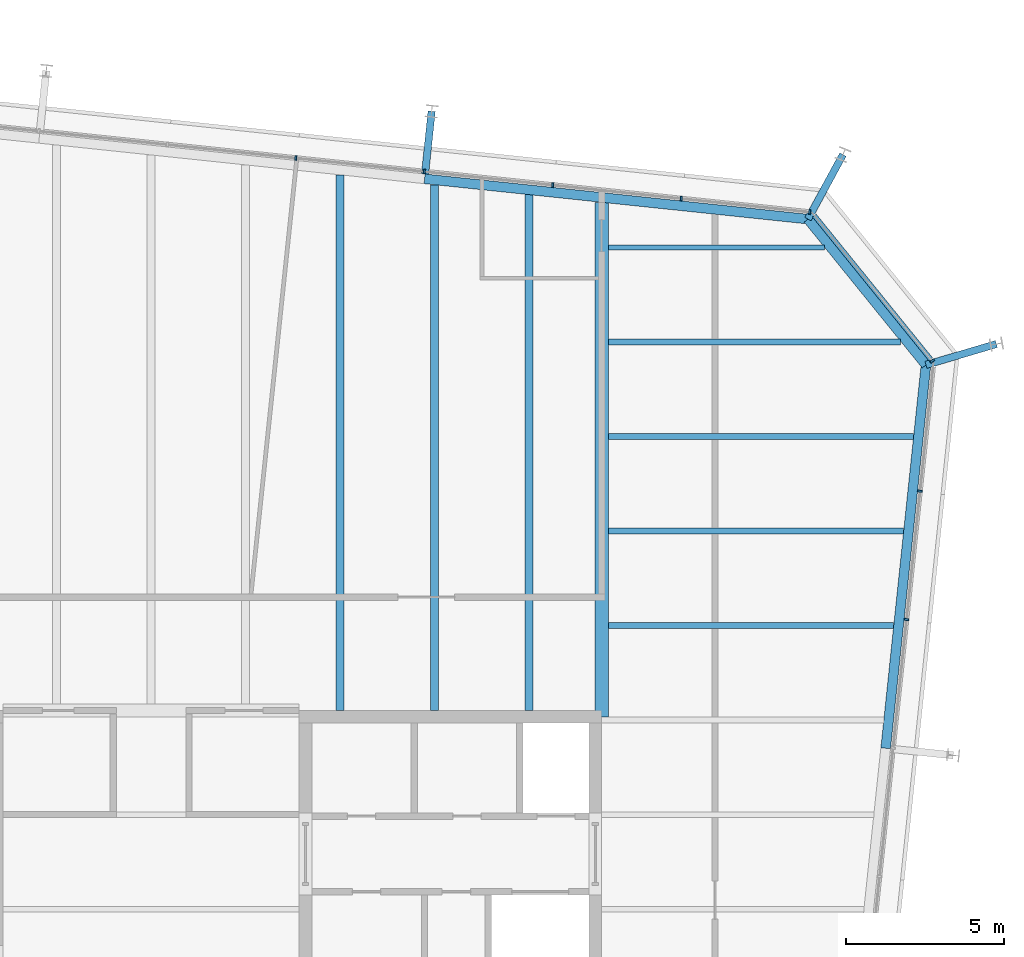
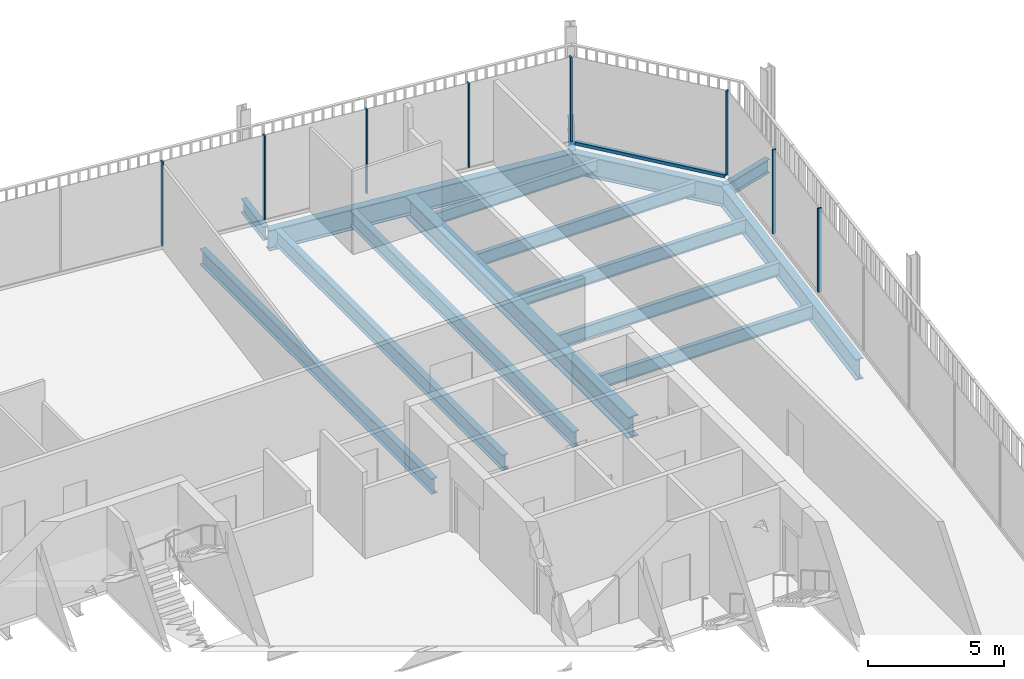
# One storey, part 14 of 20: 15 beams, 9 members, 3 elements without a shape of their own.
"""IFC4 building model written with IfcOpenShell, lengths in metres."""

import ifcopenshell
import ifcopenshell.guid

model = None  # the IFC model being written
_history = None  # IfcOwnerHistory: only IFC2X3 demands one
_inside = {}  # id of a spatial element -> (the spatial element, [elements in it])
_under = {}  # id of a project, library or spatial element -> (it, [spatial elements below it])
_declared = {}  # id of a project -> (the project, [libraries it declares])
_typed = {}  # id of a type object -> (the type object, [elements of that type])
_made_of = {}  # id of a material, layer set ... -> (it, [elements and type objects made of it])


def new_model(schema):
    """Start an empty IFC model of exactly this schema.

    Asked for "IFC4X3", IfcOpenShell would pick the latest addendum, in which some entities
    have other attributes; the version numbers below select the first issue.
    IFC2X3 requires an IfcOwnerHistory on every rooted entity: one is made here for all.
    """
    global model, _history
    if schema == "IFC4X3":
        model = ifcopenshell.file(schema_version=(4, 3, 0, 0))
    else:
        model = ifcopenshell.file(schema=schema)
    _inside.clear()
    _under.clear()
    _declared.clear()
    _typed.clear()
    _made_of.clear()
    _history = None
    if model.schema == "IFC2X3":
        org = make("IfcOrganization", Name="unknown")
        user = make(
            "IfcPersonAndOrganization",
            ThePerson=make("IfcPerson", FamilyName="unknown"),
            TheOrganization=org,
        )
        app = make(
            "IfcApplication",
            ApplicationDeveloper=org,
            Version="unknown",
            ApplicationFullName="unknown",
            ApplicationIdentifier="unknown",
        )
        _history = make(
            "IfcOwnerHistory",
            OwningUser=user,
            OwningApplication=app,
            ChangeAction="ADDED",
            CreationDate=0,
        )
    return model


def make(cls, **values):
    """One entity of the class cls with the attributes given. An attribute that is None is left unset."""
    return model.create_entity(
        cls, **{name: value for name, value in values.items() if value is not None}
    )


def rooted(cls, **values):
    """An entity with a GlobalId (a new one), such as an element, a storey or a relation."""
    return make(cls, GlobalId=ifcopenshell.guid.new(), OwnerHistory=_history, **values)


def si_unit(unit_type, name, prefix=None):
    """IfcSIUnit, for example si_unit("LENGTHUNIT", "METRE", prefix="MILLI")."""
    return make("IfcSIUnit", UnitType=unit_type, Prefix=prefix, Name=name)


def assignment(units):
    """IfcUnitAssignment: the units of a project."""
    return None if units is None else make("IfcUnitAssignment", Units=units)


def point(xyz):
    """IfcCartesianPoint."""
    return None if xyz is None else make("IfcCartesianPoint", Coordinates=xyz)


def direction(xyz):
    """IfcDirection."""
    return None if xyz is None else make("IfcDirection", DirectionRatios=xyz)


def frame(location, z_axis=None, x_axis=None):
    """IfcAxis2Placement3D, a coordinate frame: its origin and axes. An axis left out is left unset."""
    return make(
        "IfcAxis2Placement3D",
        Location=point(location),
        Axis=direction(z_axis),
        RefDirection=direction(x_axis),
    )


def frame_2d(location, x_axis=None):
    """IfcAxis2Placement2D, a coordinate frame in the plane: its origin and x axis."""
    return make(
        "IfcAxis2Placement2D", Location=point(location), RefDirection=direction(x_axis)
    )


def origin():
    """The frame at (0, 0, 0) with its axes left unset."""
    return frame((0.0, 0.0, 0.0))


def origin_2d():
    """The frame at (0, 0) in the plane with its x axis left unset."""
    return frame_2d((0.0, 0.0))


def place(relative_to, where):
    """IfcLocalPlacement: puts the frame where relative to a parent placement (None: the world)."""
    return make(
        "IfcLocalPlacement", PlacementRelTo=relative_to, RelativePlacement=where
    )


def context(
    kind, dimensions, precision=None, world=None, true_north=None, identifier=None
):
    """IfcGeometricRepresentationContext, for example the 3D "Model" context."""
    return make(
        "IfcGeometricRepresentationContext",
        ContextIdentifier=identifier,
        ContextType=kind,
        CoordinateSpaceDimension=dimensions,
        Precision=precision,
        WorldCoordinateSystem=world,
        TrueNorth=true_north,
    )


def subcontext(parent, identifier, kind, view, scale=None):
    """IfcGeometricRepresentationSubContext, for example "Body" below "Model"."""
    return make(
        "IfcGeometricRepresentationSubContext",
        ContextIdentifier=identifier,
        ContextType=kind,
        ParentContext=parent,
        TargetScale=scale,
        TargetView=view,
    )


def project(units=None, contexts=None):
    """IfcProject with its units and contexts."""
    return rooted(
        "IfcProject",
        Name="project",
        RepresentationContexts=contexts,
        UnitsInContext=assignment(units),
    )


def spatial(cls, under=None, at=None, **own):
    """A site, building, storey or space (cls), placed at a placement, below another one or the project."""
    s = rooted(cls, ObjectPlacement=at, **own)
    if under is not None:
        _under.setdefault(under.id(), (under, []))[1].append(s)
    return s


def profile(cls, at=None, kind="AREA", **sizes):
    """A parametric profile (cls). Its sizes go by their IFC names, for example OverallWidth=200.0."""
    return make(cls, ProfileType=kind, Position=at, **sizes)


def rectangle(**sizes):
    """IfcRectangleProfileDef."""
    return profile("IfcRectangleProfileDef", **sizes)


def i_section(**sizes):
    """IfcIShapeProfileDef."""
    return profile("IfcIShapeProfileDef", **sizes)


def extrude(swept, where, along, depth):
    """IfcExtrudedAreaSolid: the profile swept, set in the frame where, extruded along a direction by depth."""
    return make(
        "IfcExtrudedAreaSolid",
        SweptArea=swept,
        Position=where,
        ExtrudedDirection=direction(along),
        Depth=depth,
    )


def shape(context_of_items, identifier, shape_type, items):
    """IfcShapeRepresentation: the items that make up one representation, for example the "Body"."""
    return make(
        "IfcShapeRepresentation",
        ContextOfItems=context_of_items,
        RepresentationIdentifier=identifier,
        RepresentationType=shape_type,
        Items=items,
    )


def material(Name=None, Category=None):
    """IfcMaterial."""
    return make("IfcMaterial", Name=Name, Category=Category)


def layer(
    of_material, thickness, ventilated=None, Name=None, Category=None, Priority=None
):
    """IfcMaterialLayer: one layer of a wall or slab, of a material (None: an air gap)."""
    return make(
        "IfcMaterialLayer",
        Material=of_material,
        LayerThickness=thickness,
        IsVentilated=ventilated,
        Name=Name,
        Category=Category,
        Priority=Priority,
    )


def layer_set(layers, Name=None):
    """IfcMaterialLayerSet."""
    return make("IfcMaterialLayerSet", MaterialLayers=layers, LayerSetName=Name)


def material_profile(
    of_material, cross_section, Name=None, Category=None, Priority=None
):
    """IfcMaterialProfile: a cross section and its material."""
    return make(
        "IfcMaterialProfile",
        Name=Name,
        Material=of_material,
        Profile=cross_section,
        Priority=Priority,
        Category=Category,
    )


def profile_set(profiles, Name=None, composite=None):
    """IfcMaterialProfileSet."""
    return make(
        "IfcMaterialProfileSet",
        Name=Name,
        MaterialProfiles=profiles,
        CompositeProfile=composite,
    )


def made_of(thing, what):
    """Note that an element or type object is made of a material, layer set ...; save() writes the relation."""
    if what is not None:
        _made_of.setdefault(what.id(), (what, []))[1].append(thing)
    return thing


def type_object(cls, material=None, **own):
    """A type object (cls), such as IfcWallType, which elements share."""
    return made_of(rooted(cls, **own), material)


def element(
    cls,
    number,
    at=None,
    inside=None,
    cuts=None,
    type_object=None,
    material=None,
    context=None,
    identifier="Body",
    shape_type=None,
    held_by="IfcProductDefinitionShape",
    body=None,
    shapes=None,
    **own,
):
    """One element of the class cls, such as IfcWall. Its Tag is "e" and its number.

    at: its placement. inside: the storey or other place that contains it. cuts: it is an
    opening in that element (IfcRelVoidsElement). A single representation is given by context,
    identifier, shape_type and body (its items); several are given by shapes. held_by: the class
    of the entity that holds the representations. save() writes the other relations.
    """
    e = rooted(cls, Tag="e%d" % number, ObjectPlacement=at, **own)
    if body is not None:
        shapes = [shape(context, identifier, shape_type, body)]
    if shapes is not None:
        e.Representation = make(held_by, Representations=shapes)
    if inside is not None:
        _inside.setdefault(inside.id(), (inside, []))[1].append(e)
    if cuts is not None:
        rooted(
            "IfcRelVoidsElement", RelatingBuildingElement=cuts, RelatedOpeningElement=e
        )
    if type_object is not None:
        _typed.setdefault(type_object.id(), (type_object, []))[1].append(e)
    return made_of(e, material)


def aggregate(whole, parts):
    """IfcRelAggregates: a whole, such as a stair, and the parts it consists of."""
    return rooted("IfcRelAggregates", RelatingObject=whole, RelatedObjects=parts)


def save(model, path):
    """Write the relations noted so far, then the file.

    IfcRelAggregates (storeys below a building ...), IfcRelContainedInSpatialStructure (elements
    in a storey), IfcRelDefinesByType, IfcRelAssociatesMaterial and IfcRelDeclares: one each for
    every whole, place, type object, material and project.
    """
    for whole, parts in _under.values():
        aggregate(whole, parts)
    for where, things in _inside.values():
        rooted(
            "IfcRelContainedInSpatialStructure",
            RelatedElements=things,
            RelatingStructure=where,
        )
    for kind, things in _typed.values():
        rooted("IfcRelDefinesByType", RelatedObjects=things, RelatingType=kind)
    for what, things in _made_of.values():
        rooted("IfcRelAssociatesMaterial", RelatedObjects=things, RelatingMaterial=what)
    for by, libraries in _declared.values():
        rooted("IfcRelDeclares", RelatingContext=by, RelatedDefinitions=libraries)
    model.write(path)


model = new_model("IFC4")

# Units and contexts
model_context = context("Model", 3, precision=1e-05, world=origin(), true_north=direction((0.0, 1.0)))
body_context = subcontext(model_context, "Body", "Model", "MODEL_VIEW")
ifc_project = project(units=[si_unit("LENGTHUNIT", "METRE"), si_unit("AREAUNIT", "SQUARE_METRE"), si_unit("VOLUMEUNIT", "CUBIC_METRE"), si_unit("PLANEANGLEUNIT", "RADIAN"), si_unit("MASSUNIT", "GRAM", prefix="KILO")], contexts=[model_context])

# Site, building, storey
site_placement = place(None, origin())
site = spatial("IfcSite", under=ifc_project, at=site_placement, CompositionType="ELEMENT")
building_placement = place(site_placement, origin())
building = spatial("IfcBuilding", under=site, at=building_placement, Name="Millrace Tower", CompositionType="ELEMENT")
storey_placement = place(building_placement, frame((0.0, 0.0, 287.699951171875)))
storey = spatial("IfcBuildingStorey", under=building, at=storey_placement, Name="L66", CompositionType="ELEMENT", Elevation=287.699951171875)

# Curtain wall, members
ifc_material_1 = material(Name="Aluminium and glass", Category="aluminium")
ifc_layer = layer(ifc_material_1, 0.14990234375)
ifc_layer_set = layer_set([ifc_layer], Name="Aluminium and glass")
curtain_wall_type = type_object("IfcCurtainWallType", Name="CW-1 office vision curtain wall", PredefinedType="NOTDEFINED", material=ifc_layer_set)
placement = place(storey_placement, origin())
curtain_wall_1 = element("IfcCurtainWall", 1, at=placement, inside=storey, type_object=curtain_wall_type, Name="Curtain wall E-F04 L66", PredefinedType="NOTDEFINED")
ifc_material_2 = material(Name="Aluminium", Category="aluminium")
ifc_material_profile_1 = material_profile(ifc_material_2, rectangle(XDim=0.06494140625, YDim=0.14990234375, at=origin_2d()))
ifc_profile_set_1 = profile_set([ifc_material_profile_1], Name="Aluminium")
member_type_1 = type_object("IfcMemberType", Name="CW-1 office vision curtain wall mullion", PredefinedType="MULLION", material=ifc_profile_set_1)
member_1_placement = place(storey_placement, frame((23.974853515625, 12.1904296875, 0.14013671875), z_axis=(0.0, 0.0, 1.0), x_axis=(0.104528455196, 0.994521896217, 0.0)))
member_1 = element("IfcMember", 2, at=member_1_placement, type_object=member_type_1, Name="CW1 mullion E-F04.8", PredefinedType="MULLION", context=body_context, shape_type="SweptSolid", body=[
    extrude(rectangle(XDim=0.06494140625, YDim=0.14990234375, at=origin_2d()), origin(), (0.0, 0.0, 1.0), 3.760009765625),
])
member_2_placement = place(storey_placement, frame((24.4033203125, 16.267822265625, 0.14013671875), z_axis=(0.0, 0.0, 1.0), x_axis=(0.104528455196, 0.994521896217, 0.0)))
member_2 = element("IfcMember", 3, at=member_2_placement, type_object=member_type_1, Name="CW1 mullion E-F04.9", PredefinedType="MULLION", context=body_context, shape_type="SweptSolid", body=[
    extrude(rectangle(XDim=0.06494140625, YDim=0.14990234375, at=origin_2d()), origin(), (0.0, 0.0, 1.0), 3.760009765625),
])
aggregate(curtain_wall_1, [member_1, member_2])

# Curtain wall, member
curtain_wall_2 = element("IfcCurtainWall", 4, at=placement, inside=storey, type_object=curtain_wall_type, Name="Curtain wall E-F05 L66", PredefinedType="NOTDEFINED")
member_3_placement = place(storey_placement, frame((24.791748046875, 20.393310546875, 0.14013671875), z_axis=(0.0, 0.0, 1.0), x_axis=(-0.629320278945, 0.777146052237, 0.0)))
member_3 = element("IfcMember", 5, at=member_3_placement, type_object=member_type_1, Name="CW1 mullion E-F05.1", PredefinedType="MULLION", context=body_context, shape_type="SweptSolid", body=[
    extrude(rectangle(XDim=0.06494140625, YDim=0.14990234375, at=origin_2d()), origin(), (0.0, 0.0, 1.0), 3.760009765625),
])

# Curtain wall, members
curtain_wall_3 = element("IfcCurtainWall", 6, at=placement, inside=storey, type_object=curtain_wall_type, Name="Curtain wall E-F06 L66", PredefinedType="NOTDEFINED")
member_4_placement = place(storey_placement, frame((20.902587890625, 25.124755859375, 0.14013671875), z_axis=(0.0, 0.0, 1.0), x_axis=(-0.994521896217, 0.104528455196, 0.0)))
member_4 = element("IfcMember", 7, at=member_4_placement, type_object=member_type_1, Name="CW1 mullion E-F06.1", PredefinedType="MULLION", context=body_context, shape_type="SweptSolid", body=[
    extrude(rectangle(XDim=0.06494140625, YDim=0.14990234375, at=origin_2d()), origin(), (0.0, 0.0, 1.0), 3.760009765625),
])
member_5_placement = place(storey_placement, frame((16.824951171875, 25.553466796875, 0.14013671875), z_axis=(0.0, 0.0, 1.0), x_axis=(-0.994521896217, 0.104528455196, 0.0)))
member_5 = element("IfcMember", 8, at=member_5_placement, type_object=member_type_1, Name="CW1 mullion E-F06.2", PredefinedType="MULLION", context=body_context, shape_type="SweptSolid", body=[
    extrude(rectangle(XDim=0.06494140625, YDim=0.14990234375, at=origin_2d()), origin(), (0.0, 0.0, 1.0), 3.760009765625),
])
member_6_placement = place(storey_placement, frame((12.747314453125, 25.98193359375, 0.14013671875), z_axis=(0.0, 0.0, 1.0), x_axis=(-0.994521896217, 0.104528455196, 0.0)))
member_6 = element("IfcMember", 9, at=member_6_placement, type_object=member_type_1, Name="CW1 mullion E-F06.3", PredefinedType="MULLION", context=body_context, shape_type="SweptSolid", body=[
    extrude(rectangle(XDim=0.06494140625, YDim=0.14990234375, at=origin_2d()), origin(), (0.0, 0.0, 1.0), 3.760009765625),
])
member_7_placement = place(storey_placement, frame((8.669921875, 26.410400390625, 0.14013671875), z_axis=(0.0, 0.0, 1.0), x_axis=(-0.994521896217, 0.104528455196, 0.0)))
member_7 = element("IfcMember", 10, at=member_7_placement, type_object=member_type_1, Name="CW1 mullion E-F06.4", PredefinedType="MULLION", context=body_context, shape_type="SweptSolid", body=[
    extrude(rectangle(XDim=0.06494140625, YDim=0.14990234375, at=origin_2d()), origin(), (0.0, 0.0, 1.0), 3.760009765625),
])
member_8_placement = place(storey_placement, frame((4.59228515625, 26.839111328125, 0.14013671875), z_axis=(0.0, 0.0, 1.0), x_axis=(-0.994521896217, 0.104528455196, 0.0)))
member_8 = element("IfcMember", 11, at=member_8_placement, type_object=member_type_1, Name="CW1 mullion E-F06.5", PredefinedType="MULLION", context=body_context, shape_type="SweptSolid", body=[
    extrude(rectangle(XDim=0.06494140625, YDim=0.14990234375, at=origin_2d()), origin(), (0.0, 0.0, 1.0), 3.760009765625),
])
aggregate(curtain_wall_3, [member_4, member_5, member_6, member_7, member_8])

# Member
ifc_material_3 = material(Name="Aluminium", Category="aluminium")
ifc_material_profile_2 = material_profile(ifc_material_3, rectangle(XDim=0.14990234375, YDim=0.139892578125, at=origin_2d()))
ifc_profile_set_2 = profile_set([ifc_material_profile_2], Name="Aluminium")
member_type_2 = type_object("IfcMemberType", Name="CW-1 office vision curtain wall transom", PredefinedType="USERDEFINED", material=ifc_profile_set_2)
member_9_placement = place(storey_placement, frame((24.749267578125, 20.44580078125, 0.070068359375), z_axis=(-0.629321221277, 0.777145289151, 0.0), x_axis=(-0.777145289151, -0.629321221277, 0.0)))
member_9 = element("IfcMember", 12, at=member_9_placement, type_object=member_type_2, Name="CW1 transom E-F05.1", ObjectType="TRANSOM", PredefinedType="USERDEFINED", context=body_context, shape_type="SweptSolid", body=[
    extrude(rectangle(XDim=0.14990234375, YDim=0.139892578125, at=origin_2d()), origin(), (0.0, 0.0, 1.0), 5.881103515625),
])

aggregate(curtain_wall_2, [member_3, member_9])

# Beams
ifc_material_4 = material(Name="Steel ASTM A992 Grade 50", Category="steel")
ifc_material_profile_3 = material_profile(ifc_material_4, i_section(OverallWidth=0.1650390625, OverallDepth=0.52587890625, WebThickness=0.0087890625, FlangeThickness=0.011474609375, FilletRadius=0.0126953125, at=origin_2d()))
ifc_profile_set_3 = profile_set([ifc_material_profile_3], Name="Steel ASTM A992 Grade 50")
beam_type_1 = type_object("IfcBeamType", Name="Floor beam W21x44", PredefinedType="JOIST", material=ifc_profile_set_3)
beam_1_placement = place(storey_placement, frame((14.509521484375, 24.0, -0.4228515625), z_axis=(1.0, 0.0, 0.0), x_axis=(0.0, 1.0, 0.0)))
element("IfcBeam", 13, at=beam_1_placement, inside=storey, type_object=beam_type_1, Name="BM-E-L66-S1-S034", PredefinedType="JOIST", context=body_context, shape_type="SweptSolid", body=[
    extrude(i_section(OverallWidth=0.1650390625, OverallDepth=0.52587890625, WebThickness=0.0087890625, FlangeThickness=0.011474609375, FilletRadius=0.0126953125, at=origin_2d()), origin(), (0.0, 0.0, 1.0), 6.861572265625),
])
ifc_material_5 = material(Name="Steel ASTM A992 Grade 50", Category="steel")
ifc_material_profile_4 = material_profile(ifc_material_5, i_section(OverallWidth=0.177978515625, OverallDepth=0.599365234375, WebThickness=0.010009765625, FlangeThickness=0.012939453125, FilletRadius=0.012939453125, at=origin_2d()))
ifc_profile_set_4 = profile_set([ifc_material_profile_4], Name="Steel ASTM A992 Grade 50")
beam_type_2 = type_object("IfcBeamType", Name="Floor beam W24x55", PredefinedType="JOIST", material=ifc_profile_set_4)
beam_2_placement = place(storey_placement, frame((14.509521484375, 12.0, -0.459716796875), z_axis=(1.0, 0.0, 0.0), x_axis=(0.0, 1.0, 0.0)))
element("IfcBeam", 14, at=beam_2_placement, inside=storey, type_object=beam_type_2, Name="BM-E-L66-S1-S026", PredefinedType="JOIST", context=body_context, shape_type="SweptSolid", body=[
    extrude(i_section(OverallWidth=0.177978515625, OverallDepth=0.599365234375, WebThickness=0.010009765625, FlangeThickness=0.012939453125, FilletRadius=0.012939453125, at=origin_2d()), origin(), (0.0, 0.0, 1.0), 9.060791015625),
])
beam_3_placement = place(storey_placement, frame((14.509521484375, 15.0, -0.459716796875), z_axis=(1.0, 0.0, 0.0), x_axis=(0.0, 1.0, 0.0)))
element("IfcBeam", 15, at=beam_3_placement, inside=storey, type_object=beam_type_2, Name="BM-E-L66-S1-S028", PredefinedType="JOIST", context=body_context, shape_type="SweptSolid", body=[
    extrude(i_section(OverallWidth=0.177978515625, OverallDepth=0.599365234375, WebThickness=0.010009765625, FlangeThickness=0.012939453125, FilletRadius=0.012939453125, at=origin_2d()), origin(), (0.0, 0.0, 1.0), 9.376220703125),
])
beam_4_placement = place(storey_placement, frame((14.509521484375, 18.0, -0.459716796875), z_axis=(1.0, 0.0, 0.0), x_axis=(0.0, 1.0, 0.0)))
element("IfcBeam", 16, at=beam_4_placement, inside=storey, type_object=beam_type_2, Name="BM-E-L66-S1-S030", PredefinedType="JOIST", context=body_context, shape_type="SweptSolid", body=[
    extrude(i_section(OverallWidth=0.177978515625, OverallDepth=0.599365234375, WebThickness=0.010009765625, FlangeThickness=0.012939453125, FilletRadius=0.012939453125, at=origin_2d()), origin(), (0.0, 0.0, 1.0), 9.69140625),
])
beam_5_placement = place(storey_placement, frame((14.509521484375, 21.0, -0.459716796875), z_axis=(1.0, 0.0, 0.0), x_axis=(0.0, 1.0, 0.0)))
element("IfcBeam", 17, at=beam_5_placement, inside=storey, type_object=beam_type_2, Name="BM-E-L66-S1-S032", PredefinedType="JOIST", context=body_context, shape_type="SweptSolid", body=[
    extrude(i_section(OverallWidth=0.177978515625, OverallDepth=0.599365234375, WebThickness=0.010009765625, FlangeThickness=0.012939453125, FilletRadius=0.012939453125, at=origin_2d()), origin(), (0.0, 0.0, 1.0), 9.282958984375),
])
ifc_material_6 = material(Name="Steel ASTM A992 Grade 50", Category="steel")
ifc_material_profile_5 = material_profile(ifc_material_6, i_section(OverallWidth=0.256591796875, OverallDepth=0.693359375, WebThickness=0.014404296875, FlangeThickness=0.023681640625, FilletRadius=0.01513671875, at=origin_2d()))
ifc_profile_set_5 = profile_set([ifc_material_profile_5], Name="Steel ASTM A992 Grade 50")
beam_type_3 = type_object("IfcBeamType", Name="Floor beam W27x114", PredefinedType="JOIST", material=ifc_profile_set_5)
beam_6_placement = place(storey_placement, frame((6.0, 9.300048828125, -0.506591796875), z_axis=(0.0, 1.0, 0.0), x_axis=(-1.0, 0.0, 0.0)))
element("IfcBeam", 18, at=beam_6_placement, inside=storey, type_object=beam_type_3, Name="BM-E-L66-S1-S048", PredefinedType="JOIST", context=body_context, shape_type="SweptSolid", body=[
    extrude(i_section(OverallWidth=0.256591796875, OverallDepth=0.693359375, WebThickness=0.014404296875, FlangeThickness=0.023681640625, FilletRadius=0.01513671875, at=origin_2d()), origin(), (0.0, 0.0, 1.0), 17.006591796875),
])
beam_7_placement = place(storey_placement, frame((9.0, 9.300048828125, -0.506591796875), z_axis=(0.0, 1.0, 0.0), x_axis=(-1.0, 0.0, 0.0)))
element("IfcBeam", 19, at=beam_7_placement, inside=storey, type_object=beam_type_3, Name="BM-E-L66-S1-S050", PredefinedType="JOIST", context=body_context, shape_type="SweptSolid", body=[
    extrude(i_section(OverallWidth=0.256591796875, OverallDepth=0.693359375, WebThickness=0.014404296875, FlangeThickness=0.023681640625, FilletRadius=0.01513671875, at=origin_2d()), origin(), (0.0, 0.0, 1.0), 16.69140625),
])
beam_8_placement = place(storey_placement, frame((12.0, 9.300048828125, -0.506591796875), z_axis=(0.0, 1.0, 0.0), x_axis=(-1.0, 0.0, 0.0)))
element("IfcBeam", 20, at=beam_8_placement, inside=storey, type_object=beam_type_3, Name="BM-E-L66-S1-S052", PredefinedType="JOIST", context=body_context, shape_type="SweptSolid", body=[
    extrude(i_section(OverallWidth=0.256591796875, OverallDepth=0.693359375, WebThickness=0.014404296875, FlangeThickness=0.023681640625, FilletRadius=0.01513671875, at=origin_2d()), origin(), (0.0, 0.0, 1.0), 16.3759765625),
])
ifc_material_7 = material(Name="Steel ASTM A992 Grade 50", Category="steel")
ifc_material_profile_6 = material_profile(ifc_material_7, i_section(OverallWidth=0.424072265625, OverallDepth=0.947509765625, WebThickness=0.02392578125, FlangeThickness=0.042724609375, FilletRadius=0.024169921875, at=origin_2d()))
ifc_profile_set_6 = profile_set([ifc_material_profile_6], Name="Steel ASTM A992 Grade 50")
beam_type_4 = type_object("IfcBeamType", Name="Girder medium span W36x302", PredefinedType="BEAM", material=ifc_profile_set_6)
beam_9_placement = place(storey_placement, frame((14.300048828125, 9.092041015625, -0.633544921875), z_axis=(0.0, 1.0, 0.0), x_axis=(-1.0, 0.0, 0.0)))
element("IfcBeam", 21, at=beam_9_placement, inside=storey, type_object=beam_type_4, Name="BM-E-L66-S1-G056", PredefinedType="BEAM", context=body_context, shape_type="SweptSolid", body=[
    extrude(i_section(OverallWidth=0.424072265625, OverallDepth=0.947509765625, WebThickness=0.02392578125, FlangeThickness=0.042724609375, FilletRadius=0.024169921875, at=origin_2d()), origin(), (0.0, 0.0, 1.0), 16.34228515625),
])
ifc_material_8 = material(Name="Steel ASTM A992 Grade 50", Category="steel")
ifc_material_profile_7 = material_profile(ifc_material_8, i_section(OverallWidth=0.23046875, OverallDepth=0.6171875, WebThickness=0.01318359375, FlangeThickness=0.022216796875, FilletRadius=0.012939453125, at=origin_2d()))
ifc_profile_set_7 = profile_set([ifc_material_profile_7], Name="Steel ASTM A992 Grade 50")
beam_type_5 = type_object("IfcBeamType", Name="Link beam W24x94", PredefinedType="BEAM", material=ifc_profile_set_7)
beam_10_placement = place(storey_placement, frame((8.6943359375, 26.33251953125, -0.468505859375), z_axis=(0.104494148666, 0.99452550138, 0.0), x_axis=(-0.99452550138, 0.104494148666, 0.0)))
element("IfcBeam", 22, at=beam_10_placement, inside=storey, type_object=beam_type_5, Name="LNK-E-L66-S1-07", PredefinedType="BEAM", context=body_context, shape_type="SweptSolid", body=[
    extrude(i_section(OverallWidth=0.23046875, OverallDepth=0.6171875, WebThickness=0.01318359375, FlangeThickness=0.022216796875, FilletRadius=0.012939453125, at=origin_2d()), origin(), (0.0, 0.0, 1.0), 2.0),
])
for number, where, z_axis, x_axis, name in (
    (23, (20.84765625, 24.900634765625, -0.468505859375), (0.477163510307, 0.87881453358, 0.0), (-0.87881453358, 0.477163510307, 0.0), "LNK-E-L66-S1-08"),
    (24, (24.594482421875, 20.273681640625, -0.468505859375), (0.958815015936, 0.284031275065, 0.0), (-0.284031275065, 0.958815015936, 0.0), "LNK-E-L66-S1-09"),
):
    element("IfcBeam", number, at=place(storey_placement, frame(where, z_axis=z_axis, x_axis=x_axis)), inside=storey, type_object=beam_type_5, Name=name, PredefinedType="BEAM", context=body_context, shape_type="SweptSolid", body=[
        extrude(i_section(OverallWidth=0.23046875, OverallDepth=0.6171875, WebThickness=0.01318359375, FlangeThickness=0.022216796875, FilletRadius=0.012939453125, at=origin_2d()), origin(), (0.0, 0.0, 1.0), 2.3310546875),
    ])
ifc_material_9 = material(Name="Steel ASTM A992 Grade 50", Category="steel")
ifc_material_profile_8 = material_profile(ifc_material_9, i_section(OverallWidth=0.307373046875, OverallDepth=0.927001953125, WebThickness=0.01953125, FlangeThickness=0.031982421875, FilletRadius=0.01904296875, at=origin_2d()))
ifc_profile_set_8 = profile_set([ifc_material_profile_8], Name="Steel ASTM A992 Grade 50")
beam_type_6 = type_object("IfcBeamType", Name="Ring beam medium span W36x194", PredefinedType="SPANDREL", material=ifc_profile_set_8)
for number, where, z_axis, x_axis, name in (
    (25, (8.67822265625, 26.1796875, -0.62353515625), (0.994521948696, -0.104527955888, 0.0), (0.104527955888, 0.994521948696, 0.0), "RNG-E-L66-S1-07"),
    (26, (24.594482421875, 20.273681640625, -0.62353515625), (-0.104527955888, -0.994521948696, 0.0), (0.994521948696, -0.104527955888, 0.0), "RNG-E-L66-S1-09"),
):
    element("IfcBeam", number, at=place(storey_placement, frame(where, z_axis=z_axis, x_axis=x_axis)), inside=storey, type_object=beam_type_6, Name=name, PredefinedType="SPANDREL", context=body_context, shape_type="SweptSolid", body=[
        extrude(i_section(OverallWidth=0.307373046875, OverallDepth=0.927001953125, WebThickness=0.01953125, FlangeThickness=0.031982421875, FilletRadius=0.01904296875, at=origin_2d()), origin(), (0.0, 0.0, 1.0), 12.236572265625),
    ])
ifc_material_10 = material(Name="Steel ASTM A992 Grade 50", Category="steel")
ifc_material_profile_9 = material_profile(ifc_material_10, i_section(OverallWidth=0.307373046875, OverallDepth=0.927001953125, WebThickness=0.01953125, FlangeThickness=0.031982421875, FilletRadius=0.01904296875, at=origin_2d()))
ifc_profile_set_9 = profile_set([ifc_material_profile_9], Name="Steel ASTM A992 Grade 50")
beam_type_7 = type_object("IfcBeamType", Name="Ring beam short span W36x194", PredefinedType="SPANDREL", material=ifc_profile_set_9)
beam_11_placement = place(storey_placement, frame((20.84765625, 24.900634765625, -0.62353515625), z_axis=(0.629319722443, -0.777146502883, 0.0), x_axis=(0.777146502883, 0.629319722443, 0.0)))
element("IfcBeam", 27, at=beam_11_placement, inside=storey, type_object=beam_type_7, Name="RNG-E-L66-S1-08", PredefinedType="SPANDREL", context=body_context, shape_type="SweptSolid", body=[
    extrude(i_section(OverallWidth=0.307373046875, OverallDepth=0.927001953125, WebThickness=0.01953125, FlangeThickness=0.031982421875, FilletRadius=0.01904296875, at=origin_2d()), origin(), (0.0, 0.0, 1.0), 5.953857421875),
])

save(model, "model.ifc")
